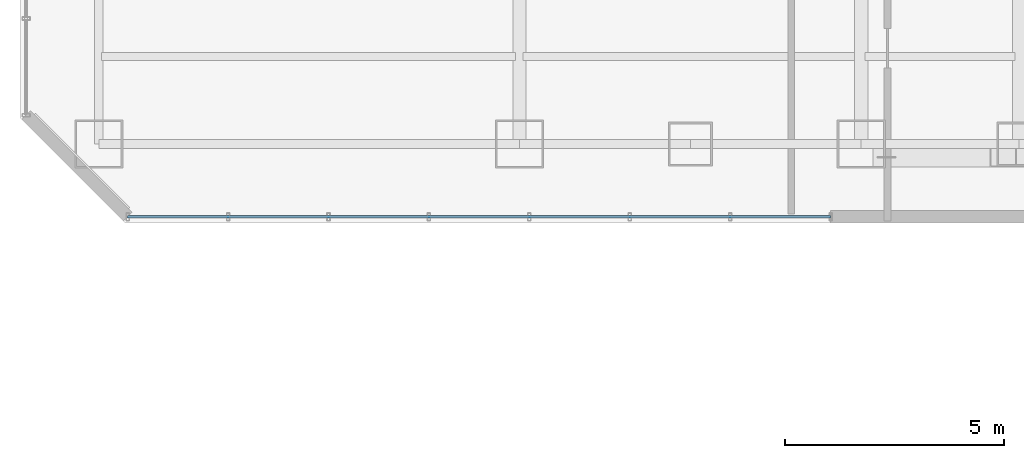
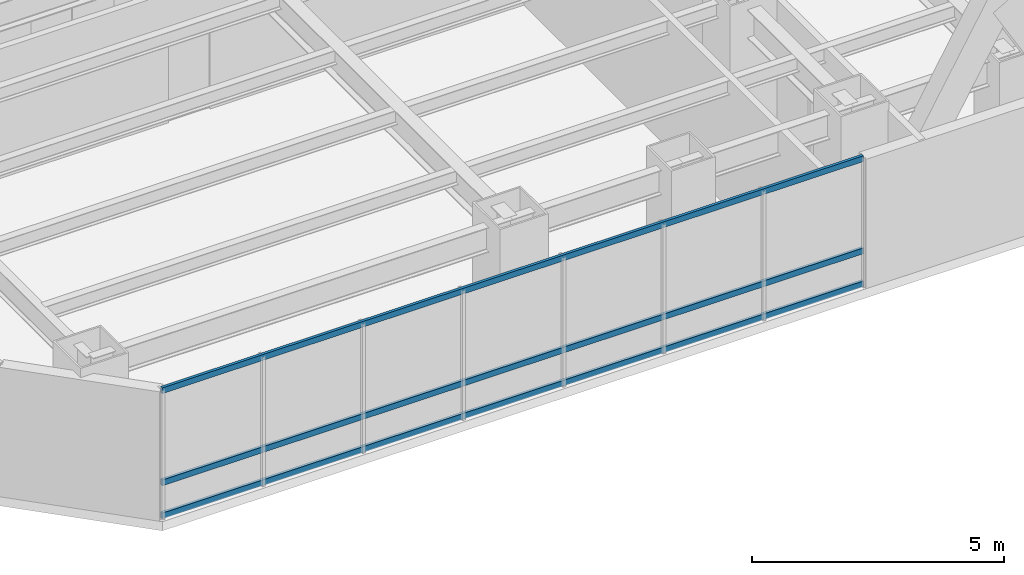
# One storey, part 3 of 33: 3 members, 1 element without a shape of its own.
"""IFC4 building model written with IfcOpenShell, lengths in metres."""

import ifcopenshell
import ifcopenshell.guid

model = None  # the IFC model being written
_history = None  # IfcOwnerHistory: only IFC2X3 demands one
_inside = {}  # id of a spatial element -> (the spatial element, [elements in it])
_under = {}  # id of a project, library or spatial element -> (it, [spatial elements below it])
_declared = {}  # id of a project -> (the project, [libraries it declares])
_typed = {}  # id of a type object -> (the type object, [elements of that type])
_made_of = {}  # id of a material, layer set ... -> (it, [elements and type objects made of it])


def new_model(schema):
    """Start an empty IFC model of exactly this schema.

    Asked for "IFC4X3", IfcOpenShell would pick the latest addendum, in which some entities
    have other attributes; the version numbers below select the first issue.
    IFC2X3 requires an IfcOwnerHistory on every rooted entity: one is made here for all.
    """
    global model, _history
    if schema == "IFC4X3":
        model = ifcopenshell.file(schema_version=(4, 3, 0, 0))
    else:
        model = ifcopenshell.file(schema=schema)
    _inside.clear()
    _under.clear()
    _declared.clear()
    _typed.clear()
    _made_of.clear()
    _history = None
    if model.schema == "IFC2X3":
        org = make("IfcOrganization", Name="unknown")
        user = make(
            "IfcPersonAndOrganization",
            ThePerson=make("IfcPerson", FamilyName="unknown"),
            TheOrganization=org,
        )
        app = make(
            "IfcApplication",
            ApplicationDeveloper=org,
            Version="unknown",
            ApplicationFullName="unknown",
            ApplicationIdentifier="unknown",
        )
        _history = make(
            "IfcOwnerHistory",
            OwningUser=user,
            OwningApplication=app,
            ChangeAction="ADDED",
            CreationDate=0,
        )
    return model


def make(cls, **values):
    """One entity of the class cls with the attributes given. An attribute that is None is left unset."""
    return model.create_entity(
        cls, **{name: value for name, value in values.items() if value is not None}
    )


def rooted(cls, **values):
    """An entity with a GlobalId (a new one), such as an element, a storey or a relation."""
    return make(cls, GlobalId=ifcopenshell.guid.new(), OwnerHistory=_history, **values)


def si_unit(unit_type, name, prefix=None):
    """IfcSIUnit, for example si_unit("LENGTHUNIT", "METRE", prefix="MILLI")."""
    return make("IfcSIUnit", UnitType=unit_type, Prefix=prefix, Name=name)


def assignment(units):
    """IfcUnitAssignment: the units of a project."""
    return None if units is None else make("IfcUnitAssignment", Units=units)


def point(xyz):
    """IfcCartesianPoint."""
    return None if xyz is None else make("IfcCartesianPoint", Coordinates=xyz)


def direction(xyz):
    """IfcDirection."""
    return None if xyz is None else make("IfcDirection", DirectionRatios=xyz)


def frame(location, z_axis=None, x_axis=None):
    """IfcAxis2Placement3D, a coordinate frame: its origin and axes. An axis left out is left unset."""
    return make(
        "IfcAxis2Placement3D",
        Location=point(location),
        Axis=direction(z_axis),
        RefDirection=direction(x_axis),
    )


def frame_2d(location, x_axis=None):
    """IfcAxis2Placement2D, a coordinate frame in the plane: its origin and x axis."""
    return make(
        "IfcAxis2Placement2D", Location=point(location), RefDirection=direction(x_axis)
    )


def origin():
    """The frame at (0, 0, 0) with its axes left unset."""
    return frame((0.0, 0.0, 0.0))


def origin_2d():
    """The frame at (0, 0) in the plane with its x axis left unset."""
    return frame_2d((0.0, 0.0))


def place(relative_to, where):
    """IfcLocalPlacement: puts the frame where relative to a parent placement (None: the world)."""
    return make(
        "IfcLocalPlacement", PlacementRelTo=relative_to, RelativePlacement=where
    )


def context(
    kind, dimensions, precision=None, world=None, true_north=None, identifier=None
):
    """IfcGeometricRepresentationContext, for example the 3D "Model" context."""
    return make(
        "IfcGeometricRepresentationContext",
        ContextIdentifier=identifier,
        ContextType=kind,
        CoordinateSpaceDimension=dimensions,
        Precision=precision,
        WorldCoordinateSystem=world,
        TrueNorth=true_north,
    )


def subcontext(parent, identifier, kind, view, scale=None):
    """IfcGeometricRepresentationSubContext, for example "Body" below "Model"."""
    return make(
        "IfcGeometricRepresentationSubContext",
        ContextIdentifier=identifier,
        ContextType=kind,
        ParentContext=parent,
        TargetScale=scale,
        TargetView=view,
    )


def project(units=None, contexts=None):
    """IfcProject with its units and contexts."""
    return rooted(
        "IfcProject",
        Name="project",
        RepresentationContexts=contexts,
        UnitsInContext=assignment(units),
    )


def spatial(cls, under=None, at=None, **own):
    """A site, building, storey or space (cls), placed at a placement, below another one or the project."""
    s = rooted(cls, ObjectPlacement=at, **own)
    if under is not None:
        _under.setdefault(under.id(), (under, []))[1].append(s)
    return s


def profile(cls, at=None, kind="AREA", **sizes):
    """A parametric profile (cls). Its sizes go by their IFC names, for example OverallWidth=200.0."""
    return make(cls, ProfileType=kind, Position=at, **sizes)


def hollow_rectangle(**sizes):
    """IfcRectangleHollowProfileDef."""
    return profile("IfcRectangleHollowProfileDef", **sizes)


def extrude(swept, where, along, depth):
    """IfcExtrudedAreaSolid: the profile swept, set in the frame where, extruded along a direction by depth."""
    return make(
        "IfcExtrudedAreaSolid",
        SweptArea=swept,
        Position=where,
        ExtrudedDirection=direction(along),
        Depth=depth,
    )


def shape(context_of_items, identifier, shape_type, items):
    """IfcShapeRepresentation: the items that make up one representation, for example the "Body"."""
    return make(
        "IfcShapeRepresentation",
        ContextOfItems=context_of_items,
        RepresentationIdentifier=identifier,
        RepresentationType=shape_type,
        Items=items,
    )


def material(Name=None, Category=None):
    """IfcMaterial."""
    return make("IfcMaterial", Name=Name, Category=Category)


def layer(
    of_material, thickness, ventilated=None, Name=None, Category=None, Priority=None
):
    """IfcMaterialLayer: one layer of a wall or slab, of a material (None: an air gap)."""
    return make(
        "IfcMaterialLayer",
        Material=of_material,
        LayerThickness=thickness,
        IsVentilated=ventilated,
        Name=Name,
        Category=Category,
        Priority=Priority,
    )


def layer_set(layers, Name=None):
    """IfcMaterialLayerSet."""
    return make("IfcMaterialLayerSet", MaterialLayers=layers, LayerSetName=Name)


def material_profile(
    of_material, cross_section, Name=None, Category=None, Priority=None
):
    """IfcMaterialProfile: a cross section and its material."""
    return make(
        "IfcMaterialProfile",
        Name=Name,
        Material=of_material,
        Profile=cross_section,
        Priority=Priority,
        Category=Category,
    )


def profile_set(profiles, Name=None, composite=None):
    """IfcMaterialProfileSet."""
    return make(
        "IfcMaterialProfileSet",
        Name=Name,
        MaterialProfiles=profiles,
        CompositeProfile=composite,
    )


def made_of(thing, what):
    """Note that an element or type object is made of a material, layer set ...; save() writes the relation."""
    if what is not None:
        _made_of.setdefault(what.id(), (what, []))[1].append(thing)
    return thing


def type_object(cls, material=None, **own):
    """A type object (cls), such as IfcWallType, which elements share."""
    return made_of(rooted(cls, **own), material)


def element(
    cls,
    number,
    at=None,
    inside=None,
    cuts=None,
    type_object=None,
    material=None,
    context=None,
    identifier="Body",
    shape_type=None,
    held_by="IfcProductDefinitionShape",
    body=None,
    shapes=None,
    **own,
):
    """One element of the class cls, such as IfcWall. Its Tag is "e" and its number.

    at: its placement. inside: the storey or other place that contains it. cuts: it is an
    opening in that element (IfcRelVoidsElement). A single representation is given by context,
    identifier, shape_type and body (its items); several are given by shapes. held_by: the class
    of the entity that holds the representations. save() writes the other relations.
    """
    e = rooted(cls, Tag="e%d" % number, ObjectPlacement=at, **own)
    if body is not None:
        shapes = [shape(context, identifier, shape_type, body)]
    if shapes is not None:
        e.Representation = make(held_by, Representations=shapes)
    if inside is not None:
        _inside.setdefault(inside.id(), (inside, []))[1].append(e)
    if cuts is not None:
        rooted(
            "IfcRelVoidsElement", RelatingBuildingElement=cuts, RelatedOpeningElement=e
        )
    if type_object is not None:
        _typed.setdefault(type_object.id(), (type_object, []))[1].append(e)
    return made_of(e, material)


def aggregate(whole, parts):
    """IfcRelAggregates: a whole, such as a stair, and the parts it consists of."""
    return rooted("IfcRelAggregates", RelatingObject=whole, RelatedObjects=parts)


def save(model, path):
    """Write the relations noted so far, then the file.

    IfcRelAggregates (storeys below a building ...), IfcRelContainedInSpatialStructure (elements
    in a storey), IfcRelDefinesByType, IfcRelAssociatesMaterial and IfcRelDeclares: one each for
    every whole, place, type object, material and project.
    """
    for whole, parts in _under.values():
        aggregate(whole, parts)
    for where, things in _inside.values():
        rooted(
            "IfcRelContainedInSpatialStructure",
            RelatedElements=things,
            RelatingStructure=where,
        )
    for kind, things in _typed.values():
        rooted("IfcRelDefinesByType", RelatedObjects=things, RelatingType=kind)
    for what, things in _made_of.values():
        rooted("IfcRelAssociatesMaterial", RelatedObjects=things, RelatingMaterial=what)
    for by, libraries in _declared.values():
        rooted("IfcRelDeclares", RelatingContext=by, RelatedDefinitions=libraries)
    model.write(path)


model = new_model("IFC4")

# Units and contexts
model_context = context("Model", 3, precision=1e-05, world=origin(), true_north=direction((0.0, 1.0)))
body_context = subcontext(model_context, "Body", "Model", "MODEL_VIEW")
ifc_project = project(units=[si_unit("LENGTHUNIT", "METRE"), si_unit("AREAUNIT", "SQUARE_METRE"), si_unit("VOLUMEUNIT", "CUBIC_METRE"), si_unit("PLANEANGLEUNIT", "RADIAN"), si_unit("MASSUNIT", "GRAM", prefix="KILO")], contexts=[model_context])

# Site, building, storey
site_placement = place(None, origin())
site = spatial("IfcSite", under=ifc_project, at=site_placement, CompositionType="ELEMENT")
building_placement = place(site_placement, origin())
building = spatial("IfcBuilding", under=site, at=building_placement, Name="Hatsunagi Terrace Concourse", CompositionType="ELEMENT")
storey_placement = place(building_placement, frame((0.0, 0.0, 43.300048828125)))
storey = spatial("IfcBuildingStorey", under=building, at=storey_placement, Name="L10", CompositionType="ELEMENT", Elevation=43.300048828125)

# Curtain wall, members
ifc_material_1 = material(Name="Anodised Aluminium Alloy 6063-T5", Category="aluminium")
ifc_layer = layer(ifc_material_1, 0.199951171875)
ifc_layer_set = layer_set([ifc_layer], Name="HotelFacade_CW02")
curtain_wall_type = type_object("IfcCurtainWallType", Name="HotelFacade_CW02", PredefinedType="NOTDEFINED", material=ifc_layer_set)
curtain_wall_placement = place(storey_placement, origin())
curtain_wall = element("IfcCurtainWall", 1, at=curtain_wall_placement, inside=storey, type_object=curtain_wall_type, Name="Unitised Curtain Wall CW-02 CW-L10-07", PredefinedType="NOTDEFINED")
ifc_material_2 = material(Name="Anodised Aluminium Alloy 6063-T5", Category="aluminium")
ifc_material_profile = material_profile(ifc_material_2, hollow_rectangle(XDim=0.06494140625, YDim=0.139892578125, WallThickness=0.00390625, at=origin_2d()), Name="ALU-TRN-140x65x4")
ifc_profile_set = profile_set([ifc_material_profile], Name="Anodised Aluminium Alloy 6063-T5")
member_type = type_object("IfcMemberType", Name="CurtainWallTransom_140x65", PredefinedType="USERDEFINED", material=ifc_profile_set)
member_1_placement = place(storey_placement, frame((18.5, 23.5400390625, 0.050048828125), z_axis=(-1.0, 0.0, 0.0), x_axis=(0.0, -1.0, 0.0)))
member_1 = element("IfcMember", 2, at=member_1_placement, type_object=member_type, Name="Curtain Wall Transom TRN-02", ObjectType="TRANSOM", PredefinedType="USERDEFINED", context=body_context, shape_type="SweptSolid", body=[
    extrude(hollow_rectangle(XDim=0.06494140625, YDim=0.139892578125, WallThickness=0.00390625, at=origin_2d()), origin(), (0.0, 0.0, 1.0), 16.0419921875),
])
member_2_placement = place(storey_placement, frame((18.5, 23.5400390625, 0.849853515625), z_axis=(-1.0, 0.0, 0.0), x_axis=(0.0, -1.0, 0.0)))
member_2 = element("IfcMember", 3, at=member_2_placement, type_object=member_type, Name="Curtain Wall Transom TRN-02", ObjectType="TRANSOM", PredefinedType="USERDEFINED", context=body_context, shape_type="SweptSolid", body=[
    extrude(hollow_rectangle(XDim=0.06494140625, YDim=0.139892578125, WallThickness=0.00390625, at=origin_2d()), origin(), (0.0, 0.0, 1.0), 16.0419921875),
])
member_3_placement = place(storey_placement, frame((18.5, 23.5400390625, 3.079833984375), z_axis=(-1.0, 0.0, 0.0), x_axis=(0.0, -1.0, 0.0)))
member_3 = element("IfcMember", 4, at=member_3_placement, type_object=member_type, Name="Curtain Wall Transom TRN-02", ObjectType="TRANSOM", PredefinedType="USERDEFINED", context=body_context, shape_type="SweptSolid", body=[
    extrude(hollow_rectangle(XDim=0.06494140625, YDim=0.139892578125, WallThickness=0.00390625, at=origin_2d()), origin(), (0.0, 0.0, 1.0), 16.0419921875),
])
aggregate(curtain_wall, [member_1, member_2, member_3])

save(model, "model.ifc")
